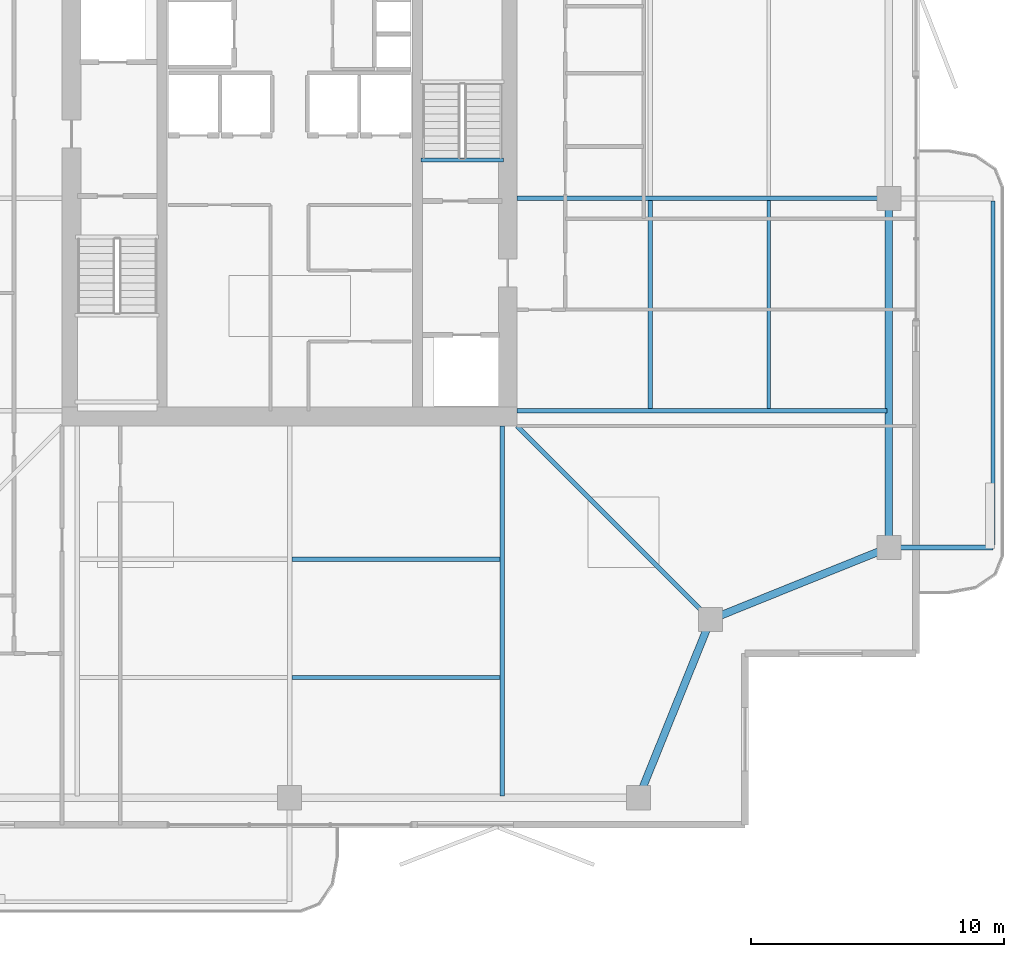
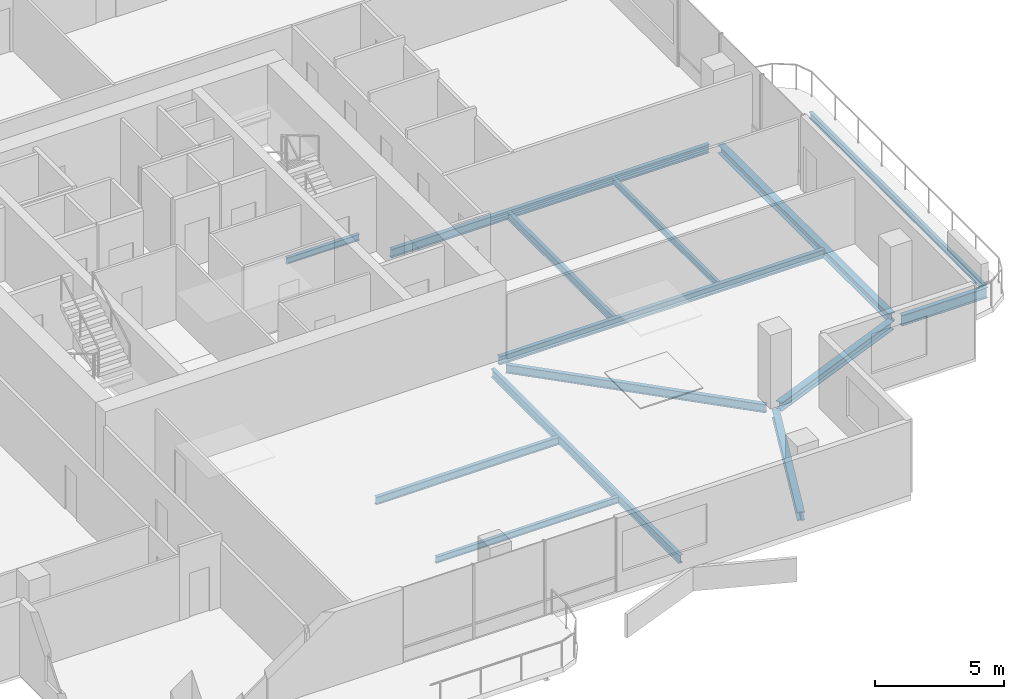
# One storey, part 9 of 25: 14 beams.
"""IFC4 building model written with IfcOpenShell, lengths in metres."""

from ifc_helpers import new_model, si_unit, direction, frame, origin, origin_2d, place, context, subcontext, project, spatial, i_section, extrude, material, material_profile, profile_set, type_object, element, save


model = new_model("IFC4")

# Units and contexts
model_context = context("Model", 3, precision=1e-05, world=origin(), true_north=direction((0.0, 1.0)))
body_context = subcontext(model_context, "Body", "Model", "MODEL_VIEW")
ifc_project = project(units=[si_unit("LENGTHUNIT", "METRE"), si_unit("AREAUNIT", "SQUARE_METRE"), si_unit("VOLUMEUNIT", "CUBIC_METRE"), si_unit("PLANEANGLEUNIT", "RADIAN"), si_unit("MASSUNIT", "GRAM", prefix="KILO")], contexts=[model_context])

# Site, building, storey
site_placement = place(None, origin())
site = spatial("IfcSite", under=ifc_project, at=site_placement, CompositionType="ELEMENT")
building_placement = place(site_placement, origin())
building = spatial("IfcBuilding", under=site, at=building_placement, Name="Belovzor Exchange Tower", CompositionType="ELEMENT")
storey_placement = place(building_placement, frame((0.0, 0.0, 254.10009765625)))
storey = spatial("IfcBuildingStorey", under=building, at=storey_placement, Name="L63", CompositionType="ELEMENT", Elevation=254.10009765625)

# Beams
ifc_material_1 = material(Name="Steel S355", Category="steel")
ifc_material_profile_1 = material_profile(ifc_material_1, i_section(OverallWidth=0.199951171875, OverallDepth=0.5, WebThickness=0.01025390625, FlangeThickness=0.01611328125, at=origin_2d()))
ifc_profile_set_1 = profile_set([ifc_material_profile_1], Name="Steel S355")
beam_type_1 = type_object("IfcBeamType", Name="Planted Balcony Cantilever Beam IPE 500", PredefinedType="BEAM", material=ifc_profile_set_1)
beam_1_placement = place(storey_placement, frame((52.760986328125, 15.0, -0.5), z_axis=(1.0, 0.0, 0.0), x_axis=(0.0, 1.0, 0.0)))
element("IfcBeam", 1, at=beam_1_placement, inside=storey, type_object=beam_type_1, Name="BC-500 Planted Balcony Cantilever Beam IPE 500", PredefinedType="BEAM", context=body_context, shape_type="SweptSolid", body=[
    extrude(i_section(OverallWidth=0.199951171875, OverallDepth=0.5, WebThickness=0.01025390625, FlangeThickness=0.01611328125, at=origin_2d()), origin(), (0.0, 0.0, 1.0), 3.85009765625),
])
ifc_material_2 = material(Name="Steel S355", Category="steel")
ifc_material_profile_2 = material_profile(ifc_material_2, i_section(OverallWidth=0.14990234375, OverallDepth=0.300048828125, WebThickness=0.007080078125, FlangeThickness=0.0107421875, at=origin_2d()))
ifc_profile_set_2 = profile_set([ifc_material_profile_2], Name="Steel S355")
beam_type_2 = type_object("IfcBeamType", Name="Planted Balcony Fascia Edge Beam IPE 300", PredefinedType="BEAM", material=ifc_profile_set_2)
beam_2_placement = place(storey_placement, frame((56.611083984375, 15.10009765625, -0.400146484375), z_axis=(0.0, 1.0, 0.0), x_axis=(-1.0, 0.0, 0.0)))
element("IfcBeam", 2, at=beam_2_placement, inside=storey, type_object=beam_type_2, Name="BC-300 Planted Balcony Fascia Edge Beam IPE 300", PredefinedType="BEAM", context=body_context, shape_type="SweptSolid", body=[
    extrude(i_section(OverallWidth=0.14990234375, OverallDepth=0.300048828125, WebThickness=0.007080078125, FlangeThickness=0.0107421875, at=origin_2d()), origin(), (0.0, 0.0, 1.0), 13.599853515625),
])
ifc_material_3 = material(Name="Steel S355", Category="steel")
ifc_material_profile_3 = material_profile(ifc_material_3, i_section(OverallWidth=0.169921875, OverallDepth=0.360107421875, WebThickness=0.008056640625, FlangeThickness=0.0126953125, at=origin_2d()))
ifc_profile_set_3 = profile_set([ifc_material_profile_3], Name="Steel S355")
beam_type_3 = type_object("IfcBeamType", Name="Secondary Infill Floor Joist IPE 360", PredefinedType="BEAM", material=ifc_profile_set_3)
beam_3_placement = place(storey_placement, frame((28.889892578125, 14.534912109375, -0.43017578125), z_axis=(1.0, 0.0, 0.0), x_axis=(0.0, 1.0, 0.0)))
element("IfcBeam", 3, at=beam_3_placement, inside=storey, type_object=beam_type_3, Name="FJ-360 Secondary Infill Floor Joist IPE 360", PredefinedType="BEAM", context=body_context, shape_type="SweptSolid", body=[
    extrude(i_section(OverallWidth=0.169921875, OverallDepth=0.360107421875, WebThickness=0.008056640625, FlangeThickness=0.0126953125, at=origin_2d()), origin(), (0.0, 0.0, 1.0), 8.22021484375),
])
beam_4_placement = place(storey_placement, frame((43.06494140625, 20.489990234375, -0.43017578125), z_axis=(0.0, 1.0, 0.0), x_axis=(-1.0, 0.0, 0.0)))
element("IfcBeam", 4, at=beam_4_placement, inside=storey, type_object=beam_type_3, Name="FJ-360 Secondary Infill Floor Joist IPE 360", PredefinedType="BEAM", context=body_context, shape_type="SweptSolid", body=[
    extrude(i_section(OverallWidth=0.169921875, OverallDepth=0.360107421875, WebThickness=0.008056640625, FlangeThickness=0.0126953125, at=origin_2d()), origin(), (0.0, 0.0, 1.0), 8.219970703125),
])
ifc_material_4 = material(Name="Steel S355", Category="steel")
ifc_material_profile_4 = material_profile(ifc_material_4, i_section(OverallWidth=0.14990234375, OverallDepth=0.300048828125, WebThickness=0.007080078125, FlangeThickness=0.0107421875, at=origin_2d()))
ifc_profile_set_4 = profile_set([ifc_material_profile_4], Name="Steel S355")
beam_type_4 = type_object("IfcBeamType", Name="Secondary Trim Floor Joist IPE 300", PredefinedType="BEAM", material=ifc_profile_set_4)
beam_5_placement = place(storey_placement, frame((37.260009765625, 30.320068359375, -0.400146484375), z_axis=(-1.0, 0.0, 0.0), x_axis=(0.0, -1.0, 0.0)))
element("IfcBeam", 5, at=beam_5_placement, inside=storey, type_object=beam_type_4, Name="FJ-300 Secondary Trim Floor Joist IPE 300", PredefinedType="BEAM", context=body_context, shape_type="SweptSolid", body=[
    extrude(i_section(OverallWidth=0.14990234375, OverallDepth=0.300048828125, WebThickness=0.007080078125, FlangeThickness=0.0107421875, at=origin_2d()), origin(), (0.0, 0.0, 1.0), 3.27001953125),
])
beam_6_placement = place(storey_placement, frame((28.889892578125, 9.85498046875, -0.400146484375), z_axis=(1.0, 0.0, 0.0), x_axis=(0.0, 1.0, 0.0)))
element("IfcBeam", 6, at=beam_6_placement, inside=storey, type_object=beam_type_4, Name="FJ-300 Secondary Trim Floor Joist IPE 300", PredefinedType="BEAM", context=body_context, shape_type="SweptSolid", body=[
    extrude(i_section(OverallWidth=0.14990234375, OverallDepth=0.300048828125, WebThickness=0.007080078125, FlangeThickness=0.0107421875, at=origin_2d()), origin(), (0.0, 0.0, 1.0), 8.22021484375),
])
beam_7_placement = place(storey_placement, frame((47.7451171875, 20.489990234375, -0.400146484375), z_axis=(0.0, 1.0, 0.0), x_axis=(-1.0, 0.0, 0.0)))
element("IfcBeam", 7, at=beam_7_placement, inside=storey, type_object=beam_type_4, Name="FJ-300 Secondary Trim Floor Joist IPE 300", PredefinedType="BEAM", context=body_context, shape_type="SweptSolid", body=[
    extrude(i_section(OverallWidth=0.14990234375, OverallDepth=0.300048828125, WebThickness=0.007080078125, FlangeThickness=0.0107421875, at=origin_2d()), origin(), (0.0, 0.0, 1.0), 8.219970703125),
])
ifc_material_5 = material(Name="Steel S355", Category="steel")
ifc_material_profile_5 = material_profile(ifc_material_5, i_section(OverallWidth=0.300048828125, OverallDepth=0.39990234375, WebThickness=0.013427734375, FlangeThickness=0.02392578125, at=origin_2d()))
ifc_profile_set_5 = profile_set([ifc_material_profile_5], Name="Steel S355")
beam_type_5 = type_object("IfcBeamType", Name="Zone 5 Primary Girder HEB 400", PredefinedType="BEAM", material=ifc_profile_set_5)
beam_8_placement = place(storey_placement, frame((42.697998046875, 5.342041015625, -0.4501953125), z_axis=(0.374758283536, 0.927122553345, 0.0), x_axis=(-0.927122553345, 0.374758283536, 0.0)))
element("IfcBeam", 8, at=beam_8_placement, inside=storey, type_object=beam_type_5, Name="FG-Z5 Zone 5 Primary Girder HEB 400", PredefinedType="BEAM", context=body_context, shape_type="SweptSolid", body=[
    extrude(i_section(OverallWidth=0.300048828125, OverallDepth=0.39990234375, WebThickness=0.013427734375, FlangeThickness=0.02392578125, at=origin_2d()), origin(), (0.0, 0.0, 1.0), 7.08203125),
])
beam_9_placement = place(storey_placement, frame((45.69189453125, 12.248046875, -0.4501953125), z_axis=(0.927127394661, 0.374746306278, 0.0), x_axis=(-0.374746306278, 0.927127394661, 0.0)))
element("IfcBeam", 9, at=beam_9_placement, inside=storey, type_object=beam_type_5, Name="FG-Z5 Zone 5 Primary Girder HEB 400", PredefinedType="BEAM", context=body_context, shape_type="SweptSolid", body=[
    extrude(i_section(OverallWidth=0.300048828125, OverallDepth=0.39990234375, WebThickness=0.013427734375, FlangeThickness=0.02392578125, at=origin_2d()), origin(), (0.0, 0.0, 1.0), 7.082275390625),
])
beam_10_placement = place(storey_placement, frame((52.5, 15.260986328125, -0.4501953125), z_axis=(0.0, 1.0, 0.0), x_axis=(-1.0, 0.0, 0.0)))
element("IfcBeam", 10, at=beam_10_placement, inside=storey, type_object=beam_type_5, Name="FG-Z5 Zone 5 Primary Girder HEB 400", PredefinedType="BEAM", context=body_context, shape_type="SweptSolid", body=[
    extrude(i_section(OverallWidth=0.300048828125, OverallDepth=0.39990234375, WebThickness=0.013427734375, FlangeThickness=0.02392578125, at=origin_2d()), origin(), (0.0, 0.0, 1.0), 13.278076171875),
])
ifc_material_6 = material(Name="Steel S355", Category="steel")
ifc_material_profile_6 = material_profile(ifc_material_6, i_section(OverallWidth=0.179931640625, OverallDepth=0.39990234375, WebThickness=0.008544921875, FlangeThickness=0.013427734375, at=origin_2d()))
ifc_profile_set_6 = profile_set([ifc_material_profile_6], Name="Steel S355")
beam_type_6 = type_object("IfcBeamType", Name="Zone 5-6 Radial Composite Floor Beam IPE 400", PredefinedType="BEAM", material=ifc_profile_set_6)
for number, where, z_axis, x_axis, name in (
    (11, (37.199951171875, 19.800048828125, -0.4501953125), (0.0, -1.0, 0.0), (1.0, 0.0, 0.0), "FB-400 Zone 5-6 Radial Composite Floor Beam IPE 400"),
    (12, (37.800048828125, 20.39990234375, -0.4501953125), (1.0, 0.0, 0.0), (0.0, 1.0, 0.0), "FB-400 Zone 5-6 Radial Composite Floor Beam IPE 400"),
):
    element("IfcBeam", number, at=place(storey_placement, frame(where, z_axis=z_axis, x_axis=x_axis)), inside=storey, type_object=beam_type_6, Name=name, PredefinedType="BEAM", context=body_context, shape_type="SweptSolid", body=[
        extrude(i_section(OverallWidth=0.179931640625, OverallDepth=0.39990234375, WebThickness=0.008544921875, FlangeThickness=0.013427734375, at=origin_2d()), origin(), (0.0, 0.0, 1.0), 14.625),
    ])
beam_11_placement = place(storey_placement, frame((37.800048828125, 28.800048828125, -0.4501953125), z_axis=(1.0, 0.0, 0.0), x_axis=(0.0, 1.0, 0.0)))
element("IfcBeam", 13, at=beam_11_placement, inside=storey, type_object=beam_type_6, Name="FB-400 Zone 5-6 Radial Composite Floor Beam IPE 400", PredefinedType="BEAM", context=body_context, shape_type="SweptSolid", body=[
    extrude(i_section(OverallWidth=0.179931640625, OverallDepth=0.39990234375, WebThickness=0.008544921875, FlangeThickness=0.013427734375, at=origin_2d()), origin(), (0.0, 0.0, 1.0), 14.281982421875),
])
beam_12_placement = place(storey_placement, frame((37.800048828125, 19.800048828125, -0.4501953125), z_axis=(0.707141714703, -0.707071845944, 0.0), x_axis=(0.707071845944, 0.707141714703, 0.0)))
element("IfcBeam", 14, at=beam_12_placement, inside=storey, type_object=beam_type_6, Name="FB-400 Zone 5-6 Radial Composite Floor Beam IPE 400", PredefinedType="BEAM", context=body_context, shape_type="SweptSolid", body=[
    extrude(i_section(OverallWidth=0.179931640625, OverallDepth=0.39990234375, WebThickness=0.008544921875, FlangeThickness=0.013427734375, at=origin_2d()), origin(), (0.0, 0.0, 1.0), 10.48291015625),
])

save(model, "model.ifc")
